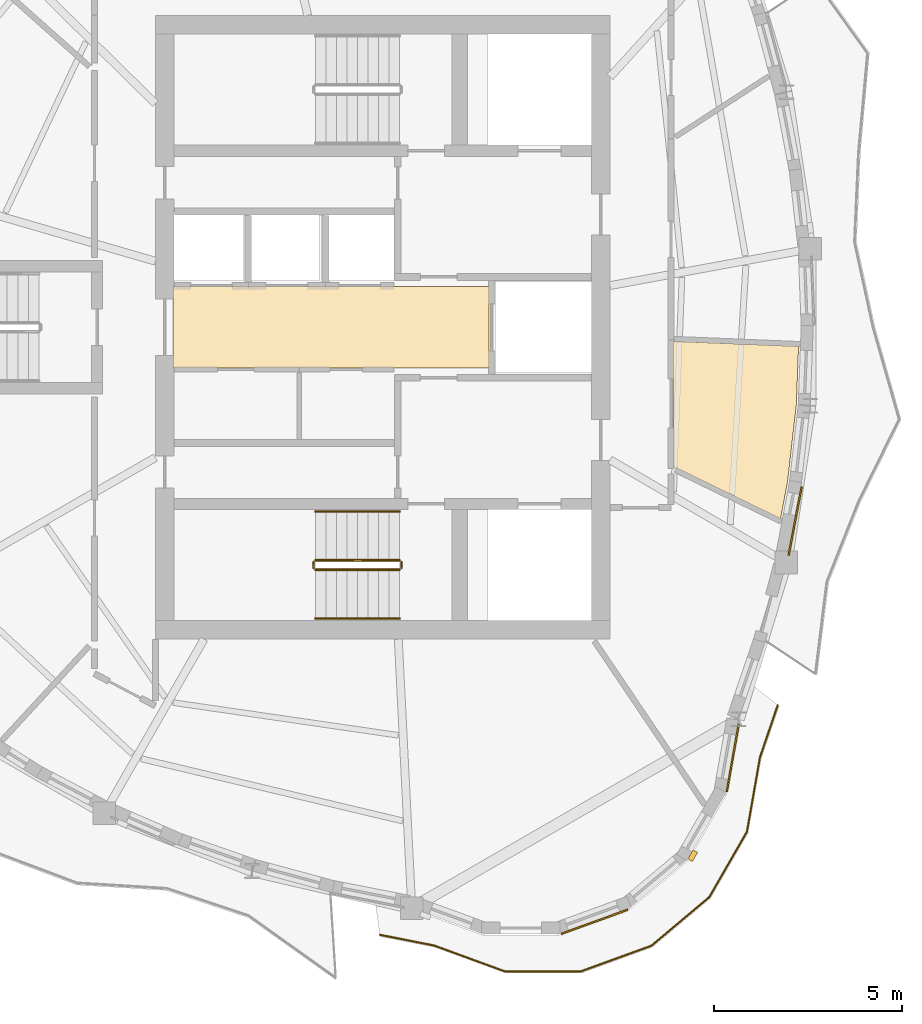
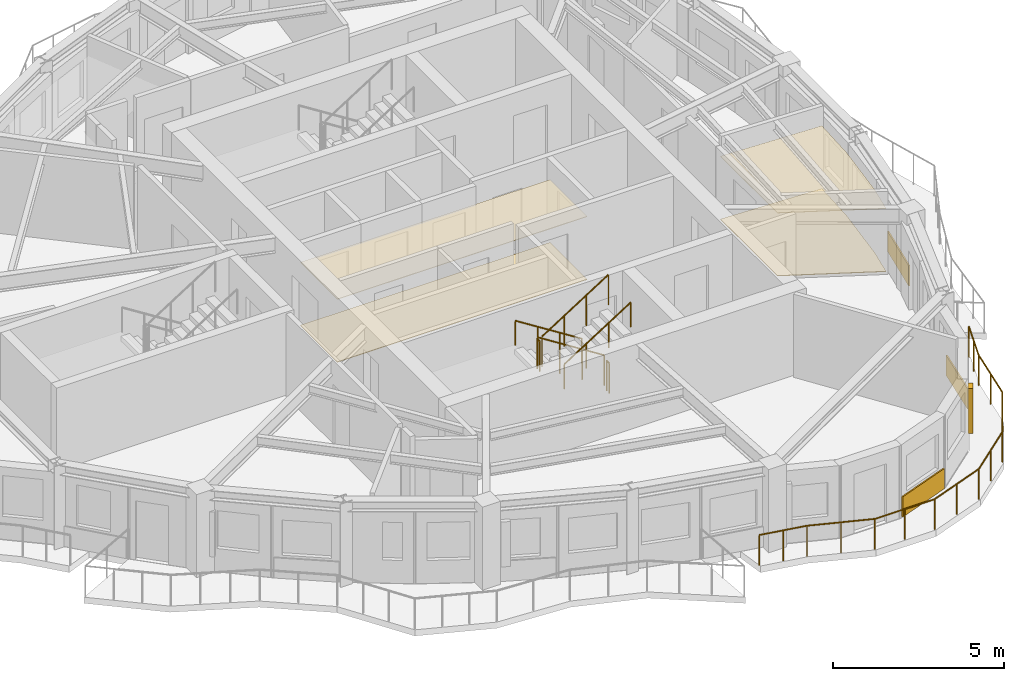
# One storey, part 9 of 12: 7 coverings, 7 railings, 1 shading device.
"""IFC4 building model written with IfcOpenShell, lengths in metres."""

from ifc_helpers import new_model, si_unit, direction, frame, origin, origin_2d, place, context, subcontext, project, spatial, polyline, rectangle, circle, outline, extrude, source, transform, mapped, material, layer, layer_set, type_object, element, save


model = new_model("IFC4")

# Units and contexts
model_context = context("Model", 3, precision=1e-05, world=origin(), true_north=direction((0.0, 1.0)))
body_context = subcontext(model_context, "Body", "Model", "MODEL_VIEW")
ifc_project = project(units=[si_unit("LENGTHUNIT", "METRE"), si_unit("AREAUNIT", "SQUARE_METRE"), si_unit("VOLUMEUNIT", "CUBIC_METRE"), si_unit("PLANEANGLEUNIT", "RADIAN"), si_unit("MASSUNIT", "GRAM", prefix="KILO")], contexts=[model_context])

# Site, building, storey
site_placement = place(None, origin())
site = spatial("IfcSite", under=ifc_project, at=site_placement, CompositionType="ELEMENT")
building_placement = place(site_placement, origin())
building = spatial("IfcBuilding", under=site, at=building_placement, Name="Qafzar Sky-Pleat Residences", CompositionType="ELEMENT")
storey_placement = place(building_placement, frame((0.0, 0.0, 224.39990234375)))
storey = spatial("IfcBuildingStorey", under=building, at=storey_placement, Name="L67", CompositionType="ELEMENT", Elevation=224.39990234375)

# Coverings
ifc_material_1 = material(Name="Perforated acoustic gypsum board ceiling")
ifc_layer_1 = layer(ifc_material_1, 0.02001953125)
ifc_layer_set_1 = layer_set([ifc_layer_1], Name="Perforated acoustic gypsum board ceiling")
covering_type_1 = type_object("IfcCoveringType", Name="COV-CEIL-ACOUSTIC", PredefinedType="CEILING", material=ifc_layer_set_1)
covering_1_placement = place(storey_placement, frame((0.0, 0.0, 2.239990234375)))
element("IfcCovering", 1, at=covering_1_placement, inside=storey, type_object=covering_type_1, Name="L67 Passenger Lift Lobby Acoustic Ceiling", PredefinedType="CEILING", context=body_context, shape_type="SweptSolid", body=[
    extrude(outline(polyline([(33.179931640625, 24.919921875), (24.77001953125, 24.919921875), (24.77001953125, 27.080078125), (33.179931640625, 27.080078125), (33.179931640625, 24.919921875)])), origin(), (0.0, 0.0, 1.0), 0.02001953125),
])
covering_2_placement = place(storey_placement, frame((0.0, 0.0, 2.239990234375)))
element("IfcCovering", 2, at=covering_2_placement, inside=storey, type_object=covering_type_1, Name="L67 Communal Kitchen Acoustic Ceiling", PredefinedType="CEILING", context=body_context, shape_type="SweptSolid", body=[
    extrude(outline(polyline([(41.35595703125, 23.941650390625), (41.12109375, 21.883056640625), (40.935791015625, 20.906982421875), (38.080078125, 22.299072265625), (38.080078125, 25.626220703125), (41.414794921875, 25.49072265625), (41.35595703125, 23.941650390625)])), origin(), (0.0, 0.0, 1.0), 0.02001953125),
])
ifc_material_2 = material(Name="Honed porcelain and Riyadh stone tile flooring", Category="masonry")
ifc_layer_2 = layer(ifc_material_2, 0.02001953125)
ifc_layer_set_2 = layer_set([ifc_layer_2], Name="Honed porcelain and Riyadh stone tile flooring")
covering_type_2 = type_object("IfcCoveringType", Name="COV-FLR-PORCELAIN", PredefinedType="FLOORING", material=ifc_layer_set_2)
covering_3_placement = place(storey_placement, origin())
element("IfcCovering", 3, at=covering_3_placement, inside=storey, type_object=covering_type_2, Name="L67 Passenger Lift Lobby Honed Stone Flooring", PredefinedType="FLOORING", context=body_context, shape_type="SweptSolid", body=[
    extrude(outline(polyline([(33.179931640625, 24.919921875), (24.77001953125, 24.919921875), (24.77001953125, 27.080078125), (33.179931640625, 27.080078125), (33.179931640625, 24.919921875)])), origin(), (0.0, 0.0, 1.0), 0.02001953125),
])
covering_4_placement = place(storey_placement, origin())
element("IfcCovering", 4, at=covering_4_placement, inside=storey, type_object=covering_type_2, Name="L67 Communal Kitchen Honed Stone Flooring", PredefinedType="FLOORING", context=body_context, shape_type="SweptSolid", body=[
    extrude(outline(polyline([(41.35595703125, 23.941650390625), (41.12109375, 21.883056640625), (40.935791015625, 20.906982421875), (38.080078125, 22.299072265625), (38.080078125, 25.626220703125), (41.414794921875, 25.49072265625), (41.35595703125, 23.941650390625)])), origin(), (0.0, 0.0, 1.0), 0.02001953125),
])

# Shading device
ifc_material_3 = material(Name="Honed Riyadh limestone solar fin", Category="masonry")
ifc_layer_3 = layer(ifc_material_3, 0.139892578125)
ifc_layer_set_3 = layer_set([ifc_layer_3], Name="Honed Riyadh limestone solar fin")
shading_device_type = type_object("IfcShadingDeviceType", Name="SHD-FIN-STONE", PredefinedType="SHUTTER", material=ifc_layer_set_3)
shared_shape_1 = source(origin(), body_context, "Body", "SweptSolid", [
    extrude(rectangle(XDim=0.139892578125, YDim=0.280029296875, at=origin_2d()), origin(), (0.0, 0.0, 1.0), 1.60009765625),
])
shading_device_placement = place(storey_placement, frame((38.59814453125, 11.940185546875, 0.60009765625), z_axis=(0.0, 0.0, 1.0), x_axis=(0.86603181203, -0.499988900429, 0.0)))
element("IfcShadingDevice", 5, at=shading_device_placement, inside=storey, type_object=shading_device_type, Name="L67 Limestone Solar Fin 21", PredefinedType="SHUTTER", context=body_context, shape_type="MappedRepresentation", body=[
    mapped(shared_shape_1, transform((0.0, 0.0, 0.0), x_axis=(1.0, 0.0, 0.0), y_axis=(0.0, 1.0, 0.0), z_axis=(0.0, 0.0, 1.0), scale=1.0)),
])

# Coverings
ifc_material_4 = material(Name="Honed Riyadh Tuwaiq limestone cladding", Category="masonry")
ifc_layer_4 = layer(ifc_material_4, 0.044921875)
ifc_layer_set_4 = layer_set([ifc_layer_4], Name="Honed Riyadh Tuwaiq limestone cladding")
covering_type_3 = type_object("IfcCoveringType", Name="COV-CLAD-STONE", PredefinedType="CLADDING", material=ifc_layer_set_4)
shared_shape_2 = source(origin(), body_context, "Body", "SweptSolid", [
    extrude(rectangle(XDim=1.88134765625, YDim=0.044921875, at=origin_2d()), origin(), (0.0, 0.0, 1.0), 0.719970703125),
])
covering_5_placement = place(storey_placement, frame((35.983642578125, 10.1806640625, 0.02001953125), z_axis=(0.0, 0.0, 1.0), x_axis=(0.939694209735, 0.342015777694, 0.0)))
element("IfcCovering", 6, at=covering_5_placement, inside=storey, type_object=covering_type_3, Name="L67 Riyadh Limestone Spandrel Cladding 19", PredefinedType="CLADDING", context=body_context, shape_type="MappedRepresentation", body=[
    mapped(shared_shape_2, transform((0.0, 0.0, 0.0), x_axis=(1.0, 0.0, 0.0), y_axis=(0.0, 1.0, 0.0), z_axis=(0.0, 0.0, 1.0), scale=1.0)),
])
shared_shape_3 = source(origin(), body_context, "Body", "SweptSolid", [
    extrude(rectangle(XDim=1.8291015625, YDim=0.044921875, at=origin_2d()), origin(), (0.0, 0.0, 1.0), 0.719970703125),
])
covering_6_placement = place(storey_placement, frame((39.664306640625, 14.54443359375, 0.02001953125), z_axis=(0.0, 0.0, 1.0), x_axis=(0.173695508338, 0.984799406165, 0.0)))
element("IfcCovering", 7, at=covering_6_placement, inside=storey, type_object=covering_type_3, Name="L67 Riyadh Limestone Spandrel Cladding 22", PredefinedType="CLADDING", context=body_context, shape_type="MappedRepresentation", body=[
    mapped(shared_shape_3, transform((0.0, 0.0, 0.0), x_axis=(1.0, 0.0, 0.0), y_axis=(0.0, 1.0, 0.0), z_axis=(0.0, 0.0, 1.0), scale=1.0)),
])

# Railing
ifc_material_5 = material(Name="Laminated glass and bronze steel balustrade", Category="steel")
railing_type_1 = type_object("IfcRailingType", Name="RAIL-BAL-1100", PredefinedType="BALUSTRADE", material=ifc_material_5)
shared_shape_4 = source(origin(), body_context, "Body", "SweptSolid", [
    extrude(circle(Radius=0.02392578125, at=origin_2d()), frame((0.0, 0.0, 1.076171875), z_axis=(-0.322646879195, -0.946519408858, 0.0), x_axis=(0.946519408858, -0.322646879195, 0.0)), (0.0, 0.0, 1.0), 1.47021484375),
    extrude(circle(Radius=0.02392578125, at=origin_2d()), frame((-0.474365234375, -1.3916015625, 1.076171875), z_axis=(-0.17230963809, -0.985042835932, 0.0), x_axis=(0.985042835932, -0.17230963809, 0.0)), (0.0, 0.0, 1.0), 2.010498046875),
    extrude(circle(Radius=0.02392578125, at=origin_2d()), frame((-0.82080078125, -3.3720703125, 1.076171875), z_axis=(-0.499119285715, -0.866533287663, 0.0), x_axis=(0.866533287663, -0.499119285715, 0.0)), (0.0, 0.0, 1.0), 2.00927734375),
    extrude(circle(Radius=0.02392578125, at=origin_2d()), frame((-1.82373046875, -5.11328125, 1.076171875), z_axis=(-0.76585564406, -0.64301254456, 0.0), x_axis=(0.64301254456, -0.76585564406, 0.0)), (0.0, 0.0, 1.0), 2.00927734375),
    extrude(circle(Radius=0.02392578125, at=origin_2d()), frame((-3.362548828125, -6.4052734375, 1.076171875), z_axis=(-0.939807614371, -0.341704035636, 0.0), x_axis=(0.341704035636, -0.939807614371, 0.0)), (0.0, 0.0, 1.0), 2.009033203125),
    extrude(circle(Radius=0.02392578125, at=origin_2d()), frame((-5.250732421875, -7.091796875, 1.076171875), z_axis=(-0.999999527671, 0.000971934907, 0.0), x_axis=(-0.000971934907, -0.999999527671, 0.0)), (0.0, 0.0, 1.0), 2.009521484375),
    extrude(circle(Radius=0.02392578125, at=origin_2d()), frame((-7.26025390625, -7.08984375, 1.076171875), z_axis=(-0.93922125306, 0.343312449237, 0.0), x_axis=(-0.343312449237, -0.93922125306, 0.0)), (0.0, 0.0, 1.0), 2.01025390625),
    extrude(circle(Radius=0.02392578125, at=origin_2d()), frame((-9.1484375, -6.399658203125, 1.076171875), z_axis=(-0.981044131941, 0.193784445155, 0.0), x_axis=(-0.193784445155, -0.981044131941, 0.0)), (0.0, 0.0, 1.0), 1.47021484375),
    extrude(circle(Radius=0.02099609375, at=origin_2d()), origin(), (0.0, 0.0, 1.0), 1.052001953125),
    extrude(circle(Radius=0.02099609375, at=origin_2d()), frame((-0.2373046875, -0.69580078125, 0.0)), (0.0, 0.0, 1.0), 1.052001953125),
    extrude(circle(Radius=0.02099609375, at=origin_2d()), frame((-0.474365234375, -1.3916015625, 0.0)), (0.0, 0.0, 1.0), 1.052001953125),
    extrude(circle(Radius=0.02099609375, at=origin_2d()), frame((-0.6474609375, -2.3818359375, 0.0)), (0.0, 0.0, 1.0), 1.052001953125),
    extrude(circle(Radius=0.02099609375, at=origin_2d()), frame((-0.82080078125, -3.3720703125, 0.0)), (0.0, 0.0, 1.0), 1.052001953125),
    extrude(circle(Radius=0.02099609375, at=origin_2d()), frame((-1.322265625, -4.24267578125, 0.0)), (0.0, 0.0, 1.0), 1.052001953125),
    extrude(circle(Radius=0.02099609375, at=origin_2d()), frame((-1.82373046875, -5.11328125, 0.0)), (0.0, 0.0, 1.0), 1.052001953125),
    extrude(circle(Radius=0.02099609375, at=origin_2d()), frame((-2.59326171875, -5.75927734375, 0.0)), (0.0, 0.0, 1.0), 1.052001953125),
    extrude(circle(Radius=0.02099609375, at=origin_2d()), frame((-3.362548828125, -6.4052734375, 0.0)), (0.0, 0.0, 1.0), 1.052001953125),
    extrude(circle(Radius=0.02099609375, at=origin_2d()), frame((-4.306640625, -6.74853515625, 0.0)), (0.0, 0.0, 1.0), 1.052001953125),
    extrude(circle(Radius=0.02099609375, at=origin_2d()), frame((-5.250732421875, -7.091796875, 0.0)), (0.0, 0.0, 1.0), 1.052001953125),
    extrude(circle(Radius=0.02099609375, at=origin_2d()), frame((-6.25537109375, -7.0908203125, 0.0)), (0.0, 0.0, 1.0), 1.052001953125),
    extrude(circle(Radius=0.02099609375, at=origin_2d()), frame((-7.26025390625, -7.08984375, 0.0)), (0.0, 0.0, 1.0), 1.052001953125),
    extrude(circle(Radius=0.02099609375, at=origin_2d()), frame((-8.204345703125, -6.74462890625, 0.0)), (0.0, 0.0, 1.0), 1.052001953125),
    extrude(circle(Radius=0.02099609375, at=origin_2d()), frame((-9.1484375, -6.399658203125, 0.0)), (0.0, 0.0, 1.0), 1.052001953125),
    extrude(circle(Radius=0.02099609375, at=origin_2d()), frame((-9.86962890625, -6.25732421875, 0.0)), (0.0, 0.0, 1.0), 1.052001953125),
    extrude(circle(Radius=0.02099609375, at=origin_2d()), frame((-10.5908203125, -6.11474609375, 0.0)), (0.0, 0.0, 1.0), 1.052001953125),
])
railing_1_placement = place(storey_placement, frame((40.862548828125, 15.95068359375, 0.0)))
element("IfcRailing", 8, at=railing_1_placement, inside=storey, type_object=railing_type_1, Name="L67 Corner Terrace 3 Balustrade", PredefinedType="BALUSTRADE", context=body_context, shape_type="MappedRepresentation", body=[
    mapped(shared_shape_4, transform((0.0, 0.0, 0.0), x_axis=(1.0, 0.0, 0.0), y_axis=(0.0, 1.0, 0.0), z_axis=(0.0, 0.0, 1.0), scale=1.0)),
])

# Covering
shared_shape_5 = source(origin(), body_context, "Body", "SweptSolid", [
    extrude(rectangle(XDim=1.864501953125, YDim=0.044921875, at=origin_2d()), origin(), (0.0, 0.0, 1.0), 0.719970703125),
])
covering_7_placement = place(storey_placement, frame((41.32275390625, 20.843017578125, 0.02001953125), z_axis=(0.0, 0.0, 1.0), x_axis=(0.186666236581, 0.982423389441, 0.0)))
element("IfcCovering", 9, at=covering_7_placement, inside=storey, type_object=covering_type_3, Name="L67 Riyadh Limestone Spandrel Cladding 25", PredefinedType="CLADDING", context=body_context, shape_type="MappedRepresentation", body=[
    mapped(shared_shape_5, transform((0.0, 0.0, 0.0), x_axis=(1.0, 0.0, 0.0), y_axis=(0.0, 1.0, 0.0), z_axis=(0.0, 0.0, 1.0), scale=1.0)),
])

# Railings
ifc_material_6 = material(Name="Painted Steel S355 stair guardrail", Category="steel")
railing_type_2 = type_object("IfcRailingType", Name="RAIL-STAIR-GUARD", PredefinedType="GUARDRAIL", material=ifc_material_6)
shared_shape_6 = source(origin(), body_context, "Body", "SweptSolid", [
    extrude(circle(Radius=0.02392578125, at=origin_2d()), frame((0.0, 0.0, 1.076171875), z_axis=(0.0, -1.0, 0.0), x_axis=(1.0, 0.0, 0.0)), (0.0, 0.0, 1.0), 0.14990234375),
    extrude(circle(Radius=0.02099609375, at=origin_2d()), origin(), (0.0, 0.0, 1.0), 1.052001953125),
    extrude(circle(Radius=0.02099609375, at=origin_2d()), frame((0.0, -0.14990234375, 0.0)), (0.0, 0.0, 1.0), 1.052001953125),
])
for number, where, name in (
    (10, (28.510009765625, 19.75, 1.60009765625), "L67 ST1 stair guard 2"),
    (11, (30.85009765625, 19.75, 0.0), "L67 ST1 stair guard 4"),
):
    element("IfcRailing", number, at=place(storey_placement, frame(where)), inside=storey, type_object=railing_type_2, Name=name, PredefinedType="GUARDRAIL", context=body_context, shape_type="MappedRepresentation", body=[
        mapped(shared_shape_6, transform((0.0, 0.0, 0.0), x_axis=(1.0, 0.0, 0.0), y_axis=(0.0, 1.0, 0.0), z_axis=(0.0, 0.0, 1.0), scale=1.0)),
    ])
shared_shape_7 = source(origin(), body_context, "Body", "SweptSolid", [
    extrude(circle(Radius=0.02392578125, at=origin_2d()), frame((0.0, 0.0, 1.076171875), z_axis=(-0.8442293374, 0.0, 0.53598211339), x_axis=(0.0, -1.0, 0.0)), (0.0, 0.0, 1.0), 2.6533203125),
    extrude(circle(Radius=0.02099609375, at=origin_2d()), origin(), (0.0, 0.0, 1.0), 1.052001953125),
    extrude(circle(Radius=0.02099609375, at=origin_2d()), frame((-0.74658203125, 0.0, 0.47412109375)), (0.0, 0.0, 1.0), 1.052001953125),
    extrude(circle(Radius=0.02099609375, at=origin_2d()), frame((-1.493408203125, 0.0, 0.947998046875)), (0.0, 0.0, 1.0), 1.052001953125),
    extrude(circle(Radius=0.02099609375, at=origin_2d()), frame((-2.239990234375, 0.0, 1.422119140625)), (0.0, 0.0, 1.0), 1.052001953125),
])
railing_2_placement = place(storey_placement, frame((30.800048828125, 19.800048828125, 0.177978515625)))
element("IfcRailing", 12, at=railing_2_placement, inside=storey, type_object=railing_type_2, Name="L67 ST1 stair guard 1", PredefinedType="GUARDRAIL", context=body_context, shape_type="MappedRepresentation", body=[
    mapped(shared_shape_7, transform((0.0, 0.0, 0.0), x_axis=(1.0, 0.0, 0.0), y_axis=(0.0, 1.0, 0.0), z_axis=(0.0, 0.0, 1.0), scale=1.0)),
])
ifc_material_7 = material(Name="Brushed stainless steel handrail", Category="steel")
railing_type_3 = type_object("IfcRailingType", Name="RAIL-STAIR-HAND", PredefinedType="HANDRAIL", material=ifc_material_7)
shared_shape_8 = source(origin(), body_context, "Body", "SweptSolid", [
    extrude(circle(Radius=0.02392578125, at=origin_2d()), frame((0.0, 0.0, 0.8759765625), z_axis=(-0.8442293374, 0.0, 0.53598211339), x_axis=(0.0, -1.0, 0.0)), (0.0, 0.0, 1.0), 2.6533203125),
    extrude(circle(Radius=0.02099609375, at=origin_2d()), origin(), (0.0, 0.0, 1.0), 0.851806640625),
    extrude(circle(Radius=0.02099609375, at=origin_2d()), frame((-0.74658203125, 0.0, 0.47412109375)), (0.0, 0.0, 1.0), 0.851806640625),
    extrude(circle(Radius=0.02099609375, at=origin_2d()), frame((-1.493408203125, 0.0, 0.947998046875)), (0.0, 0.0, 1.0), 0.851806640625),
    extrude(circle(Radius=0.02099609375, at=origin_2d()), frame((-2.239990234375, 0.0, 1.422119140625)), (0.0, 0.0, 1.0), 0.851806640625),
])
railing_3_placement = place(storey_placement, frame((30.800048828125, 21.10009765625, 0.177978515625)))
element("IfcRailing", 13, at=railing_3_placement, inside=storey, type_object=railing_type_3, Name="L67 ST1 stair handrail 1", PredefinedType="HANDRAIL", context=body_context, shape_type="MappedRepresentation", body=[
    mapped(shared_shape_8, transform((0.0, 0.0, 0.0), x_axis=(1.0, 0.0, 0.0), y_axis=(0.0, 1.0, 0.0), z_axis=(0.0, 0.0, 1.0), scale=1.0)),
])
shared_shape_9 = source(origin(), body_context, "Body", "SweptSolid", [
    extrude(circle(Radius=0.02392578125, at=origin_2d()), frame((0.0, 0.0, 1.076171875), z_axis=(0.84418770128, 0.0, 0.536047689118), x_axis=(0.0, 1.0, 0.0)), (0.0, 0.0, 1.0), 2.6533203125),
    extrude(circle(Radius=0.02099609375, at=origin_2d()), origin(), (0.0, 0.0, 1.0), 1.052001953125),
    extrude(circle(Radius=0.02099609375, at=origin_2d()), frame((0.74658203125, 0.0, 0.47412109375)), (0.0, 0.0, 1.0), 1.052001953125),
    extrude(circle(Radius=0.02099609375, at=origin_2d()), frame((1.493408203125, 0.0, 0.9482421875)), (0.0, 0.0, 1.0), 1.052001953125),
    extrude(circle(Radius=0.02099609375, at=origin_2d()), frame((2.239990234375, 0.0, 1.42236328125)), (0.0, 0.0, 1.0), 1.052001953125),
])
railing_4_placement = place(storey_placement, frame((28.56005859375, 19.550048828125, 1.77783203125)))
element("IfcRailing", 14, at=railing_4_placement, inside=storey, type_object=railing_type_2, Name="L67 ST1 stair guard 3", PredefinedType="GUARDRAIL", context=body_context, shape_type="MappedRepresentation", body=[
    mapped(shared_shape_9, transform((0.0, 0.0, 0.0), x_axis=(1.0, 0.0, 0.0), y_axis=(0.0, 1.0, 0.0), z_axis=(0.0, 0.0, 1.0), scale=1.0)),
])
shared_shape_10 = source(origin(), body_context, "Body", "SweptSolid", [
    extrude(circle(Radius=0.02392578125, at=origin_2d()), frame((0.0, 0.0, 0.8759765625), z_axis=(0.84418770128, 0.0, 0.536047689118), x_axis=(0.0, 1.0, 0.0)), (0.0, 0.0, 1.0), 2.6533203125),
    extrude(circle(Radius=0.02099609375, at=origin_2d()), origin(), (0.0, 0.0, 1.0), 0.851806640625),
    extrude(circle(Radius=0.02099609375, at=origin_2d()), frame((0.74658203125, 0.0, 0.47412109375)), (0.0, 0.0, 1.0), 0.851806640625),
    extrude(circle(Radius=0.02099609375, at=origin_2d()), frame((1.493408203125, 0.0, 0.9482421875)), (0.0, 0.0, 1.0), 0.851806640625),
    extrude(circle(Radius=0.02099609375, at=origin_2d()), frame((2.239990234375, 0.0, 1.42236328125)), (0.0, 0.0, 1.0), 0.851806640625),
])
railing_5_placement = place(storey_placement, frame((28.56005859375, 18.25, 1.77783203125)))
element("IfcRailing", 15, at=railing_5_placement, inside=storey, type_object=railing_type_3, Name="L67 ST1 stair handrail 2", PredefinedType="HANDRAIL", context=body_context, shape_type="MappedRepresentation", body=[
    mapped(shared_shape_10, transform((0.0, 0.0, 0.0), x_axis=(1.0, 0.0, 0.0), y_axis=(0.0, 1.0, 0.0), z_axis=(0.0, 0.0, 1.0), scale=1.0)),
])

save(model, "model.ifc")
